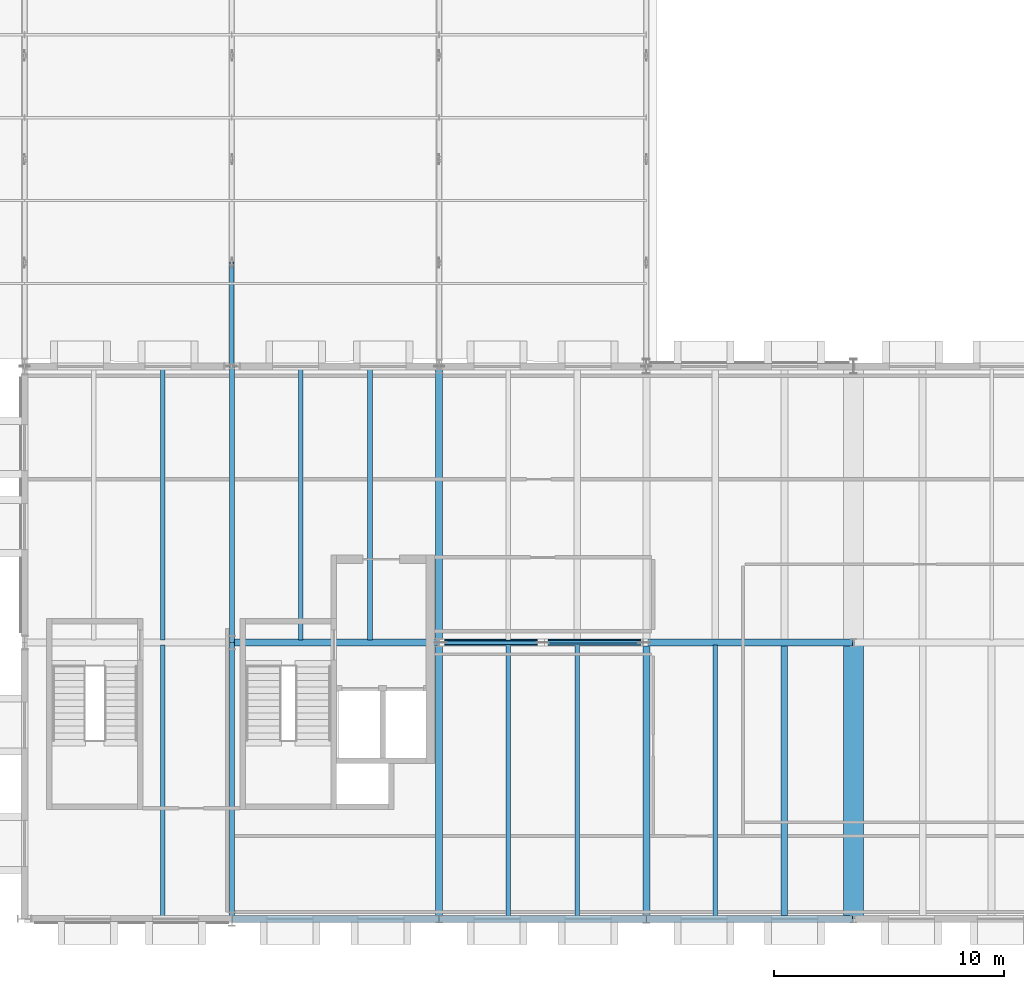
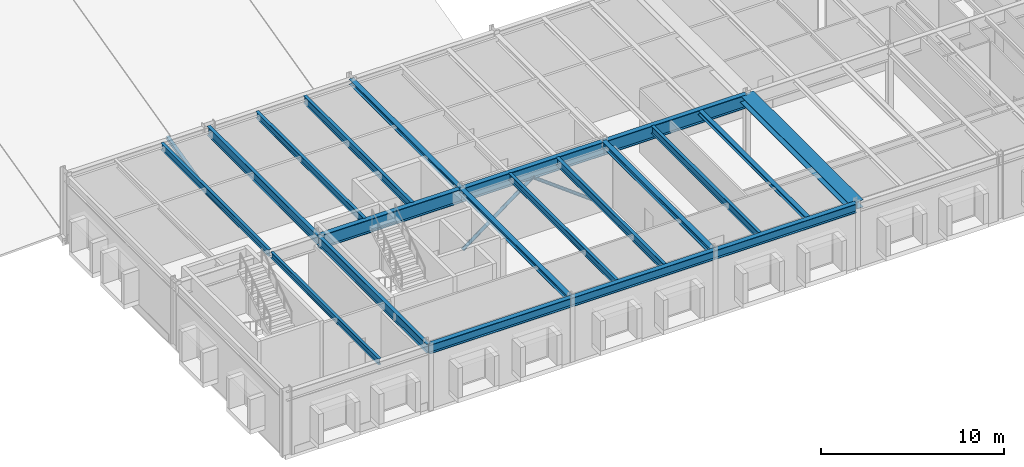
# One storey, part 12 of 67: 20 beams, 3 members.
"""IFC4 building model written with IfcOpenShell, lengths in metres."""

from ifc_helpers import new_model, si_unit, direction, frame, origin, origin_2d, place, context, subcontext, project, spatial, hollow_circle, i_section, extrude, material, material_profile, profile_set, type_object, element, save


model = new_model("IFC4")

# Units and contexts
model_context = context("Model", 3, precision=1e-05, world=origin(), true_north=direction((0.0, 1.0)))
body_context = subcontext(model_context, "Body", "Model", "MODEL_VIEW")
ifc_project = project(units=[si_unit("LENGTHUNIT", "METRE"), si_unit("AREAUNIT", "SQUARE_METRE"), si_unit("VOLUMEUNIT", "CUBIC_METRE"), si_unit("PLANEANGLEUNIT", "RADIAN"), si_unit("MASSUNIT", "GRAM", prefix="KILO")], contexts=[model_context])

# Site, building, storey
site_placement = place(None, origin())
site = spatial("IfcSite", under=ifc_project, at=site_placement, CompositionType="ELEMENT")
building_placement = place(site_placement, origin())
building = spatial("IfcBuilding", under=site, at=building_placement, Name="Montelvaro Courts of Justice", CompositionType="ELEMENT")
storey_placement = place(building_placement, frame((0.0, 0.0, 18.89990234375)))
storey = spatial("IfcBuildingStorey", under=building, at=storey_placement, Name="L04", CompositionType="ELEMENT", Elevation=18.89990234375)

# Beams
ifc_material = material(Name="Steel S355", Category="steel")
ifc_material_profile_1 = material_profile(ifc_material, i_section(OverallWidth=0.280029296875, OverallDepth=0.27001953125, WebThickness=0.008056640625, FlangeThickness=0.012939453125, at=origin_2d()), Name="HEA 280")
ifc_profile_set_1 = profile_set([ifc_material_profile_1], Name="Steel S355")
beam_type_1 = type_object("IfcBeamType", Name="Beam_HEA280", PredefinedType="BEAM", material=ifc_profile_set_1)
beam_1_placement = place(storey_placement, frame((78.0, 0.110107421875, 4.125), z_axis=(0.0, 1.0, 0.0), x_axis=(-1.0, 0.0, 0.0)))
element("IfcBeam", 1, at=beam_1_placement, inside=storey, type_object=beam_type_1, Name="Beam B-14 L04", PredefinedType="BEAM", context=body_context, shape_type="SweptSolid", body=[
    extrude(i_section(OverallWidth=0.280029296875, OverallDepth=0.27001953125, WebThickness=0.008056640625, FlangeThickness=0.012939453125, at=origin_2d()), origin(), (0.0, 0.0, 1.0), 11.77978515625),
])
ifc_material_profile_2 = material_profile(ifc_material, i_section(OverallWidth=0.300048828125, OverallDepth=0.35009765625, WebThickness=0.010009765625, FlangeThickness=0.017578125, at=origin_2d()), Name="HEA 360")
ifc_profile_set_2 = profile_set([ifc_material_profile_2], Name="Steel S355")
beam_type_2 = type_object("IfcBeamType", Name="Beam_HEA360", PredefinedType="USERDEFINED", material=ifc_profile_set_2)
for number, where, z_axis, x_axis, name in (
    (2, (63.0, 0.0, 4.085205078125), (0.0, 1.0, 0.0), (-1.0, 0.0, 0.0), "Beam B-16 L04"),
    (3, (63.0, 12.0, 4.085205078125), (0.0, 1.0, 0.0), (-1.0, 0.0, 0.0), "Beam B-16 L04"),
):
    element("IfcBeam", number, at=place(storey_placement, frame(where, z_axis=z_axis, x_axis=x_axis)), inside=storey, type_object=beam_type_2, Name=name, ObjectType="GIRDER", PredefinedType="USERDEFINED", context=body_context, shape_type="SweptSolid", body=[
        extrude(i_section(OverallWidth=0.300048828125, OverallDepth=0.35009765625, WebThickness=0.010009765625, FlangeThickness=0.017578125, at=origin_2d()), origin(), (0.0, 0.0, 1.0), 12.0),
    ])
ifc_material_profile_3 = material_profile(ifc_material, i_section(OverallWidth=0.300048828125, OverallDepth=0.389892578125, WebThickness=0.010986328125, FlangeThickness=0.01904296875, at=origin_2d()), Name="HEA 400")
ifc_profile_set_3 = profile_set([ifc_material_profile_3], Name="Steel S355")
beam_type_3 = type_object("IfcBeamType", Name="Beam_HEA400", PredefinedType="USERDEFINED", material=ifc_profile_set_3)
beam_2_placement = place(storey_placement, frame((72.0, 0.0, 4.065185546875), z_axis=(0.0, 1.0, 0.0), x_axis=(-1.0, 0.0, 0.0)))
element("IfcBeam", 4, at=beam_2_placement, inside=storey, type_object=beam_type_3, Name="Beam B-17 L04", ObjectType="GIRDER", PredefinedType="USERDEFINED", context=body_context, shape_type="SweptSolid", body=[
    extrude(i_section(OverallWidth=0.300048828125, OverallDepth=0.389892578125, WebThickness=0.010986328125, FlangeThickness=0.01904296875, at=origin_2d()), origin(), (0.0, 0.0, 1.0), 12.0),
])
ifc_material_profile_4 = material_profile(ifc_material, i_section(OverallWidth=0.300048828125, OverallDepth=0.60009765625, WebThickness=0.015380859375, FlangeThickness=0.030029296875, at=origin_2d()), Name="HEB 600")
ifc_profile_set_4 = profile_set([ifc_material_profile_4], Name="Steel S355")
beam_type_4 = type_object("IfcBeamType", Name="Beam_HEB600", PredefinedType="USERDEFINED", material=ifc_profile_set_4)
for number, where, z_axis, x_axis, name in (
    (5, (54.0, 0.0, 3.960205078125), (1.0, 0.0, 0.0), (0.0, 1.0, 0.0), "Beam B-26 L04"),
    (6, (63.0, 0.0, 3.960205078125), (1.0, 0.0, 0.0), (0.0, 1.0, 0.0), "Beam B-26 L04"),
):
    element("IfcBeam", number, at=place(storey_placement, frame(where, z_axis=z_axis, x_axis=x_axis)), inside=storey, type_object=beam_type_4, Name=name, ObjectType="GIRDER", PredefinedType="USERDEFINED", context=body_context, shape_type="SweptSolid", body=[
        extrude(i_section(OverallWidth=0.300048828125, OverallDepth=0.60009765625, WebThickness=0.015380859375, FlangeThickness=0.030029296875, at=origin_2d()), origin(), (0.0, 0.0, 1.0), 9.0),
    ])
beam_3_placement = place(storey_placement, frame((72.0, 0.0, 3.960205078125), z_axis=(1.0, 0.0, 0.0), x_axis=(0.0, 1.0, 0.0)))
element("IfcBeam", 7, at=beam_3_placement, inside=storey, type_object=beam_type_4, Name="Beam B-26 L04", ObjectType="GIRDER", PredefinedType="USERDEFINED", context=body_context, shape_type="SweptSolid", body=[
    extrude(i_section(OverallWidth=0.300048828125, OverallDepth=0.60009765625, WebThickness=0.015380859375, FlangeThickness=0.030029296875, at=origin_2d()), origin(), (0.0, 0.0, 1.0), 8.949951171875),
])
ifc_material_profile_5 = material_profile(ifc_material, i_section(OverallWidth=0.300048828125, OverallDepth=0.89990234375, WebThickness=0.0185546875, FlangeThickness=0.034912109375, at=origin_2d()), Name="HEB 900")
ifc_profile_set_5 = profile_set([ifc_material_profile_5], Name="Steel S355")
beam_type_5 = type_object("IfcBeamType", Name="Beam_HEB900", PredefinedType="USERDEFINED", material=ifc_profile_set_5)
for number, where, z_axis, x_axis, name in (
    (8, (54.0, 12.0, 3.81005859375), (1.0, 0.0, 0.0), (0.0, 1.0, 0.0), "Beam B-30 L04"),
    (9, (63.0, 12.0, 3.81005859375), (1.0, 0.0, 0.0), (0.0, 1.0, 0.0), "Beam B-30 L04"),
):
    element("IfcBeam", number, at=place(storey_placement, frame(where, z_axis=z_axis, x_axis=x_axis)), inside=storey, type_object=beam_type_5, Name=name, ObjectType="GIRDER", PredefinedType="USERDEFINED", context=body_context, shape_type="SweptSolid", body=[
        extrude(i_section(OverallWidth=0.300048828125, OverallDepth=0.89990234375, WebThickness=0.0185546875, FlangeThickness=0.034912109375, at=origin_2d()), origin(), (0.0, 0.0, 1.0), 9.0),
    ])
beam_4_placement = place(storey_placement, frame((72.0, 12.0, 3.81005859375), z_axis=(1.0, 0.0, 0.0), x_axis=(0.0, 1.0, 0.0)))
element("IfcBeam", 10, at=beam_4_placement, inside=storey, type_object=beam_type_5, Name="Beam B-30 L04", ObjectType="GIRDER", PredefinedType="USERDEFINED", context=body_context, shape_type="SweptSolid", body=[
    extrude(i_section(OverallWidth=0.300048828125, OverallDepth=0.89990234375, WebThickness=0.0185546875, FlangeThickness=0.034912109375, at=origin_2d()), origin(), (0.0, 0.0, 1.0), 8.949951171875),
])
ifc_material_profile_6 = material_profile(ifc_material, i_section(OverallWidth=0.179931640625, OverallDepth=0.39990234375, WebThickness=0.008544921875, FlangeThickness=0.013427734375, at=origin_2d()), Name="IPE 400")
ifc_profile_set_6 = profile_set([ifc_material_profile_6], Name="Steel S355")
beam_type_6 = type_object("IfcBeamType", Name="Beam_IPE400", PredefinedType="BEAM", material=ifc_profile_set_6)
beam_5_placement = place(storey_placement, frame((51.0, 0.110107421875, 4.06005859375), z_axis=(0.0, 1.0, 0.0), x_axis=(-1.0, 0.0, 0.0)))
element("IfcBeam", 11, at=beam_5_placement, inside=storey, type_object=beam_type_6, Name="Beam B-08 L04", PredefinedType="BEAM", context=body_context, shape_type="SweptSolid", body=[
    extrude(i_section(OverallWidth=0.179931640625, OverallDepth=0.39990234375, WebThickness=0.008544921875, FlangeThickness=0.013427734375, at=origin_2d()), origin(), (0.0, 0.0, 1.0), 11.77978515625),
])
ifc_material_profile_7 = material_profile(ifc_material, i_section(OverallWidth=0.18994140625, OverallDepth=0.449951171875, WebThickness=0.009521484375, FlangeThickness=0.0146484375, at=origin_2d()), Name="IPE 450")
ifc_profile_set_7 = profile_set([ifc_material_profile_7], Name="Steel S355")
beam_type_7 = type_object("IfcBeamType", Name="Beam_IPE450", PredefinedType="BEAM", material=ifc_profile_set_7)
for number, where, z_axis, x_axis, name in (
    (12, (51.0, 12.110107421875, 4.03515625), (0.0, 1.0, 0.0), (-1.0, 0.0, 0.0), "Beam B-09 L04"),
    (13, (57.0, 12.110107421875, 4.03515625), (0.0, 1.0, 0.0), (-1.0, 0.0, 0.0), "Beam B-09 L04"),
    (14, (66.0, 0.110107421875, 4.03515625), (0.0, 1.0, 0.0), (-1.0, 0.0, 0.0), "Beam B-09 L04"),
):
    element("IfcBeam", number, at=place(storey_placement, frame(where, z_axis=z_axis, x_axis=x_axis)), inside=storey, type_object=beam_type_7, Name=name, PredefinedType="BEAM", context=body_context, shape_type="SweptSolid", body=[
        extrude(i_section(OverallWidth=0.18994140625, OverallDepth=0.449951171875, WebThickness=0.009521484375, FlangeThickness=0.0146484375, at=origin_2d()), origin(), (0.0, 0.0, 1.0), 11.77978515625),
    ])
ifc_material_profile_8 = material_profile(ifc_material, i_section(OverallWidth=0.199951171875, OverallDepth=0.5, WebThickness=0.01025390625, FlangeThickness=0.01611328125, at=origin_2d()), Name="IPE 500")
ifc_profile_set_8 = profile_set([ifc_material_profile_8], Name="Steel S355")
beam_type_8 = type_object("IfcBeamType", Name="Beam_IPE500", PredefinedType="BEAM", material=ifc_profile_set_8)
for number, where, z_axis, x_axis, name in (
    (15, (60.0, 12.110107421875, 4.010009765625), (0.0, 1.0, 0.0), (-1.0, 0.0, 0.0), "Beam B-10 L04"),
    (16, (69.0, 0.110107421875, 4.010009765625), (0.0, 1.0, 0.0), (-1.0, 0.0, 0.0), "Beam B-10 L04"),
    (17, (75.0, 0.110107421875, 4.010009765625), (0.0, 1.0, 0.0), (-1.0, 0.0, 0.0), "Beam B-10 L04"),
):
    element("IfcBeam", number, at=place(storey_placement, frame(where, z_axis=z_axis, x_axis=x_axis)), inside=storey, type_object=beam_type_8, Name=name, PredefinedType="BEAM", context=body_context, shape_type="SweptSolid", body=[
        extrude(i_section(OverallWidth=0.199951171875, OverallDepth=0.5, WebThickness=0.01025390625, FlangeThickness=0.01611328125, at=origin_2d()), origin(), (0.0, 0.0, 1.0), 11.77978515625),
    ])
ifc_material_profile_9 = material_profile(ifc_material, i_section(OverallWidth=0.219970703125, OverallDepth=0.60009765625, WebThickness=0.011962890625, FlangeThickness=0.01904296875, at=origin_2d()), Name="IPE 600")
ifc_profile_set_9 = profile_set([ifc_material_profile_9], Name="Steel S355")
beam_type_9 = type_object("IfcBeamType", Name="Beam_IPE600", PredefinedType="USERDEFINED", material=ifc_profile_set_9)
for number, where, z_axis, x_axis, name in (
    (18, (54.0, 0.0, 3.960205078125), (0.0, 1.0, 0.0), (-1.0, 0.0, 0.0), "Beam B-12 L04"),
    (19, (54.0, 12.0, 3.960205078125), (0.0, 1.0, 0.0), (-1.0, 0.0, 0.0), "Beam B-12 L04"),
):
    element("IfcBeam", number, at=place(storey_placement, frame(where, z_axis=z_axis, x_axis=x_axis)), inside=storey, type_object=beam_type_9, Name=name, ObjectType="GIRDER", PredefinedType="USERDEFINED", context=body_context, shape_type="SweptSolid", body=[
        extrude(i_section(OverallWidth=0.219970703125, OverallDepth=0.60009765625, WebThickness=0.011962890625, FlangeThickness=0.01904296875, at=origin_2d()), origin(), (0.0, 0.0, 1.0), 12.0),
    ])
ifc_material_profile_10 = material_profile(ifc_material, i_section(OverallWidth=0.860107421875, OverallDepth=0.47998046875, WebThickness=0.02001953125, FlangeThickness=0.031982421875, at=origin_2d()), Name="HL 480x860")
ifc_profile_set_10 = profile_set([ifc_material_profile_10], Name="Steel S355")
beam_type_10 = type_object("IfcBeamType", Name="Beam_MJSeat_860", PredefinedType="USERDEFINED", material=ifc_profile_set_10)
beam_6_placement = place(storey_placement, frame((81.0, 0.0, 4.02001953125), z_axis=(0.0, 1.0, 0.0), x_axis=(-1.0, 0.0, 0.0)))
element("IfcBeam", 20, at=beam_6_placement, inside=storey, type_object=beam_type_10, Name="Beam BC-01 L04", ObjectType="GIRDER", PredefinedType="USERDEFINED", context=body_context, shape_type="SweptSolid", body=[
    extrude(i_section(OverallWidth=0.860107421875, OverallDepth=0.47998046875, WebThickness=0.02001953125, FlangeThickness=0.031982421875, at=origin_2d()), origin(), (0.0, 0.0, 1.0), 12.0),
])

# Members
ifc_material_profile_11 = material_profile(ifc_material, hollow_circle(Radius=0.109619140625, WallThickness=0.010009765625, at=origin_2d()), Name="CHS 219.1x10")
ifc_profile_set_11 = profile_set([ifc_material_profile_11], Name="Steel S355")
member_type_1 = type_object("IfcMemberType", Name="Mem_CHS219_Brace", PredefinedType="BRACE", material=ifc_profile_set_11)
for number, where, z_axis, x_axis, name in (
    (21, (63.080078125, 12.0, 0.080078125), (0.801294084563, 0.0, 0.598270666208), (0.0, 1.0, 0.0), "Lateral Braced Frame CBF1 Diagonal 1 (L04)"),
    (22, (71.919921875, 12.0, 0.080078125), (-0.801294084563, 0.0, 0.598270666208), (0.0, -1.0, 0.0), "Lateral Braced Frame CBF1 Diagonal 2 (L04)"),
):
    element("IfcMember", number, at=place(storey_placement, frame(where, z_axis=z_axis, x_axis=x_axis)), inside=storey, type_object=member_type_1, Name=name, PredefinedType="BRACE", context=body_context, shape_type="SweptSolid", body=[
        extrude(hollow_circle(Radius=0.109619140625, WallThickness=0.010009765625, at=origin_2d()), origin(), (0.0, 0.0, 1.0), 5.515869140625),
    ])
ifc_material_profile_12 = material_profile(ifc_material, i_section(OverallWidth=0.199951171875, OverallDepth=0.18994140625, WebThickness=0.006591796875, FlangeThickness=0.010009765625, at=origin_2d()), Name="HEA 200")
ifc_profile_set_12 = profile_set([ifc_material_profile_12], Name="Steel S355")
member_type_2 = type_object("IfcMemberType", Name="Mem_HEA200_Brace", PredefinedType="BRACE", material=ifc_profile_set_12)
member_placement = place(storey_placement, frame((54.0, 24.0, -0.2998046875), z_axis=(0.0, 0.97263439265, 0.232340995597), x_axis=(-1.0, 0.0, 0.0)))
element("IfcMember", 23, at=member_placement, inside=storey, type_object=member_type_2, Name="Roof Truss Web MB-02 ROOF-V3-VTR05-W1", PredefinedType="BRACE", context=body_context, shape_type="SweptSolid", body=[
    extrude(i_section(OverallWidth=0.199951171875, OverallDepth=0.18994140625, WebThickness=0.006591796875, FlangeThickness=0.010009765625, at=origin_2d()), origin(), (0.0, 0.0, 1.0), 4.626708984375),
])

save(model, "model.ifc")
